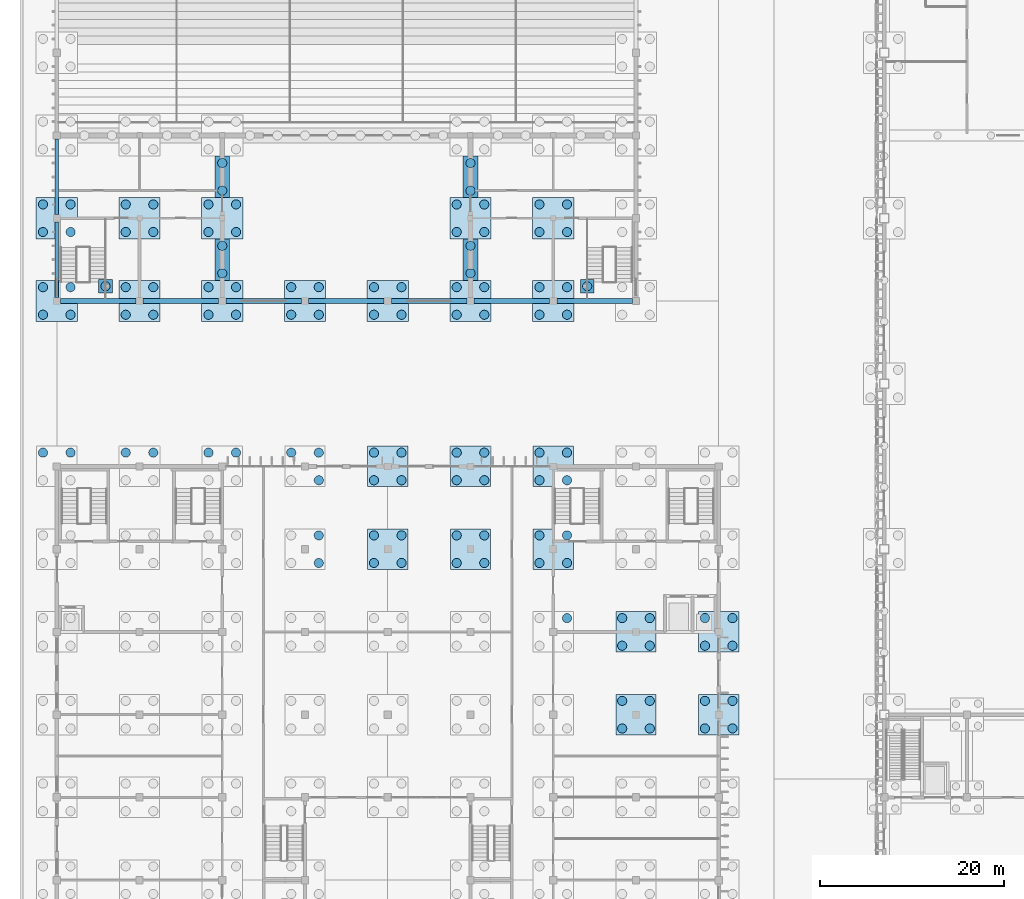
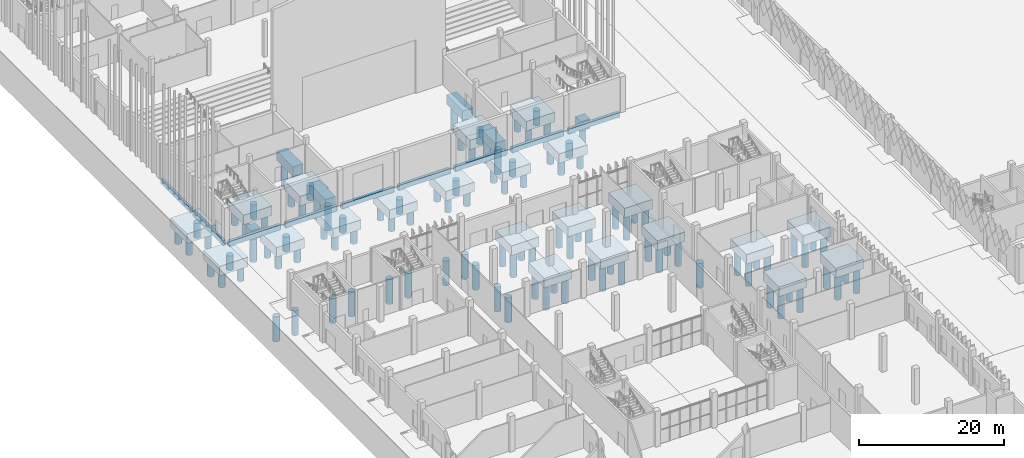
# One storey, part 4 of 198: 110 piles, 37 footings.
"""IFC4 building model written with IfcOpenShell, lengths in metres."""

import ifcopenshell
import ifcopenshell.guid

model = None  # the IFC model being written
_history = None  # IfcOwnerHistory: only IFC2X3 demands one
_inside = {}  # id of a spatial element -> (the spatial element, [elements in it])
_under = {}  # id of a project, library or spatial element -> (it, [spatial elements below it])
_declared = {}  # id of a project -> (the project, [libraries it declares])
_typed = {}  # id of a type object -> (the type object, [elements of that type])
_made_of = {}  # id of a material, layer set ... -> (it, [elements and type objects made of it])


def new_model(schema):
    """Start an empty IFC model of exactly this schema.

    Asked for "IFC4X3", IfcOpenShell would pick the latest addendum, in which some entities
    have other attributes; the version numbers below select the first issue.
    IFC2X3 requires an IfcOwnerHistory on every rooted entity: one is made here for all.
    """
    global model, _history
    if schema == "IFC4X3":
        model = ifcopenshell.file(schema_version=(4, 3, 0, 0))
    else:
        model = ifcopenshell.file(schema=schema)
    _inside.clear()
    _under.clear()
    _declared.clear()
    _typed.clear()
    _made_of.clear()
    _history = None
    if model.schema == "IFC2X3":
        org = make("IfcOrganization", Name="unknown")
        user = make(
            "IfcPersonAndOrganization",
            ThePerson=make("IfcPerson", FamilyName="unknown"),
            TheOrganization=org,
        )
        app = make(
            "IfcApplication",
            ApplicationDeveloper=org,
            Version="unknown",
            ApplicationFullName="unknown",
            ApplicationIdentifier="unknown",
        )
        _history = make(
            "IfcOwnerHistory",
            OwningUser=user,
            OwningApplication=app,
            ChangeAction="ADDED",
            CreationDate=0,
        )
    return model


def make(cls, **values):
    """One entity of the class cls with the attributes given. An attribute that is None is left unset."""
    return model.create_entity(
        cls, **{name: value for name, value in values.items() if value is not None}
    )


def rooted(cls, **values):
    """An entity with a GlobalId (a new one), such as an element, a storey or a relation."""
    return make(cls, GlobalId=ifcopenshell.guid.new(), OwnerHistory=_history, **values)


def si_unit(unit_type, name, prefix=None):
    """IfcSIUnit, for example si_unit("LENGTHUNIT", "METRE", prefix="MILLI")."""
    return make("IfcSIUnit", UnitType=unit_type, Prefix=prefix, Name=name)


def assignment(units):
    """IfcUnitAssignment: the units of a project."""
    return None if units is None else make("IfcUnitAssignment", Units=units)


def point(xyz):
    """IfcCartesianPoint."""
    return None if xyz is None else make("IfcCartesianPoint", Coordinates=xyz)


def direction(xyz):
    """IfcDirection."""
    return None if xyz is None else make("IfcDirection", DirectionRatios=xyz)


def frame(location, z_axis=None, x_axis=None):
    """IfcAxis2Placement3D, a coordinate frame: its origin and axes. An axis left out is left unset."""
    return make(
        "IfcAxis2Placement3D",
        Location=point(location),
        Axis=direction(z_axis),
        RefDirection=direction(x_axis),
    )


def frame_2d(location, x_axis=None):
    """IfcAxis2Placement2D, a coordinate frame in the plane: its origin and x axis."""
    return make(
        "IfcAxis2Placement2D", Location=point(location), RefDirection=direction(x_axis)
    )


def origin():
    """The frame at (0, 0, 0) with its axes left unset."""
    return frame((0.0, 0.0, 0.0))


def origin_2d():
    """The frame at (0, 0) in the plane with its x axis left unset."""
    return frame_2d((0.0, 0.0))


def place(relative_to, where):
    """IfcLocalPlacement: puts the frame where relative to a parent placement (None: the world)."""
    return make(
        "IfcLocalPlacement", PlacementRelTo=relative_to, RelativePlacement=where
    )


def context(
    kind, dimensions, precision=None, world=None, true_north=None, identifier=None
):
    """IfcGeometricRepresentationContext, for example the 3D "Model" context."""
    return make(
        "IfcGeometricRepresentationContext",
        ContextIdentifier=identifier,
        ContextType=kind,
        CoordinateSpaceDimension=dimensions,
        Precision=precision,
        WorldCoordinateSystem=world,
        TrueNorth=true_north,
    )


def subcontext(parent, identifier, kind, view, scale=None):
    """IfcGeometricRepresentationSubContext, for example "Body" below "Model"."""
    return make(
        "IfcGeometricRepresentationSubContext",
        ContextIdentifier=identifier,
        ContextType=kind,
        ParentContext=parent,
        TargetScale=scale,
        TargetView=view,
    )


def project(units=None, contexts=None):
    """IfcProject with its units and contexts."""
    return rooted(
        "IfcProject",
        Name="project",
        RepresentationContexts=contexts,
        UnitsInContext=assignment(units),
    )


def spatial(cls, under=None, at=None, **own):
    """A site, building, storey or space (cls), placed at a placement, below another one or the project."""
    s = rooted(cls, ObjectPlacement=at, **own)
    if under is not None:
        _under.setdefault(under.id(), (under, []))[1].append(s)
    return s


def polyline(points):
    """IfcPolyline through the points."""
    return make("IfcPolyline", Points=[point(p) for p in points])


def profile(cls, at=None, kind="AREA", **sizes):
    """A parametric profile (cls). Its sizes go by their IFC names, for example OverallWidth=200.0."""
    return make(cls, ProfileType=kind, Position=at, **sizes)


def circle(**sizes):
    """IfcCircleProfileDef."""
    return profile("IfcCircleProfileDef", **sizes)


def outline(outer, holes=None, kind="AREA"):
    """IfcArbitraryClosedProfileDef: a profile drawn as a closed curve; with holes, ...WithVoids."""
    if holes is None:
        return make("IfcArbitraryClosedProfileDef", ProfileType=kind, OuterCurve=outer)
    return make(
        "IfcArbitraryProfileDefWithVoids",
        ProfileType=kind,
        OuterCurve=outer,
        InnerCurves=holes,
    )


def extrude(swept, where, along, depth):
    """IfcExtrudedAreaSolid: the profile swept, set in the frame where, extruded along a direction by depth."""
    return make(
        "IfcExtrudedAreaSolid",
        SweptArea=swept,
        Position=where,
        ExtrudedDirection=direction(along),
        Depth=depth,
    )


def shape(context_of_items, identifier, shape_type, items):
    """IfcShapeRepresentation: the items that make up one representation, for example the "Body"."""
    return make(
        "IfcShapeRepresentation",
        ContextOfItems=context_of_items,
        RepresentationIdentifier=identifier,
        RepresentationType=shape_type,
        Items=items,
    )


def material(Name=None, Category=None):
    """IfcMaterial."""
    return make("IfcMaterial", Name=Name, Category=Category)


def layer(
    of_material, thickness, ventilated=None, Name=None, Category=None, Priority=None
):
    """IfcMaterialLayer: one layer of a wall or slab, of a material (None: an air gap)."""
    return make(
        "IfcMaterialLayer",
        Material=of_material,
        LayerThickness=thickness,
        IsVentilated=ventilated,
        Name=Name,
        Category=Category,
        Priority=Priority,
    )


def layer_set(layers, Name=None):
    """IfcMaterialLayerSet."""
    return make("IfcMaterialLayerSet", MaterialLayers=layers, LayerSetName=Name)


def material_profile(
    of_material, cross_section, Name=None, Category=None, Priority=None
):
    """IfcMaterialProfile: a cross section and its material."""
    return make(
        "IfcMaterialProfile",
        Name=Name,
        Material=of_material,
        Profile=cross_section,
        Priority=Priority,
        Category=Category,
    )


def profile_set(profiles, Name=None, composite=None):
    """IfcMaterialProfileSet."""
    return make(
        "IfcMaterialProfileSet",
        Name=Name,
        MaterialProfiles=profiles,
        CompositeProfile=composite,
    )


def made_of(thing, what):
    """Note that an element or type object is made of a material, layer set ...; save() writes the relation."""
    if what is not None:
        _made_of.setdefault(what.id(), (what, []))[1].append(thing)
    return thing


def type_object(cls, material=None, **own):
    """A type object (cls), such as IfcWallType, which elements share."""
    return made_of(rooted(cls, **own), material)


def element(
    cls,
    number,
    at=None,
    inside=None,
    cuts=None,
    type_object=None,
    material=None,
    context=None,
    identifier="Body",
    shape_type=None,
    held_by="IfcProductDefinitionShape",
    body=None,
    shapes=None,
    **own,
):
    """One element of the class cls, such as IfcWall. Its Tag is "e" and its number.

    at: its placement. inside: the storey or other place that contains it. cuts: it is an
    opening in that element (IfcRelVoidsElement). A single representation is given by context,
    identifier, shape_type and body (its items); several are given by shapes. held_by: the class
    of the entity that holds the representations. save() writes the other relations.
    """
    e = rooted(cls, Tag="e%d" % number, ObjectPlacement=at, **own)
    if body is not None:
        shapes = [shape(context, identifier, shape_type, body)]
    if shapes is not None:
        e.Representation = make(held_by, Representations=shapes)
    if inside is not None:
        _inside.setdefault(inside.id(), (inside, []))[1].append(e)
    if cuts is not None:
        rooted(
            "IfcRelVoidsElement", RelatingBuildingElement=cuts, RelatedOpeningElement=e
        )
    if type_object is not None:
        _typed.setdefault(type_object.id(), (type_object, []))[1].append(e)
    return made_of(e, material)


def aggregate(whole, parts):
    """IfcRelAggregates: a whole, such as a stair, and the parts it consists of."""
    return rooted("IfcRelAggregates", RelatingObject=whole, RelatedObjects=parts)


def save(model, path):
    """Write the relations noted so far, then the file.

    IfcRelAggregates (storeys below a building ...), IfcRelContainedInSpatialStructure (elements
    in a storey), IfcRelDefinesByType, IfcRelAssociatesMaterial and IfcRelDeclares: one each for
    every whole, place, type object, material and project.
    """
    for whole, parts in _under.values():
        aggregate(whole, parts)
    for where, things in _inside.values():
        rooted(
            "IfcRelContainedInSpatialStructure",
            RelatedElements=things,
            RelatingStructure=where,
        )
    for kind, things in _typed.values():
        rooted("IfcRelDefinesByType", RelatedObjects=things, RelatingType=kind)
    for what, things in _made_of.values():
        rooted("IfcRelAssociatesMaterial", RelatedObjects=things, RelatingMaterial=what)
    for by, libraries in _declared.values():
        rooted("IfcRelDeclares", RelatingContext=by, RelatedDefinitions=libraries)
    model.write(path)


model = new_model("IFC4")

# Units and contexts
model_context = context("Model", 3, precision=1e-05, world=origin(), true_north=direction((0.0, 1.0)))
body_context = subcontext(model_context, "Body", "Model", "MODEL_VIEW")
ifc_project = project(units=[si_unit("LENGTHUNIT", "METRE"), si_unit("AREAUNIT", "SQUARE_METRE"), si_unit("VOLUMEUNIT", "CUBIC_METRE"), si_unit("PLANEANGLEUNIT", "RADIAN"), si_unit("MASSUNIT", "GRAM", prefix="KILO")], contexts=[model_context])

# Site, building, storey
site_placement = place(None, origin())
site = spatial("IfcSite", under=ifc_project, at=site_placement, CompositionType="ELEMENT")
building_placement = place(site_placement, origin())
building = spatial("IfcBuilding", under=site, at=building_placement, Name="Opaline Strait Convention Centre", CompositionType="ELEMENT")
storey_placement = place(building_placement, origin())
storey = spatial("IfcBuildingStorey", under=building, at=storey_placement, Name="L00", CompositionType="ELEMENT", Elevation=0.0)

# Piles
ifc_material = material(Name="Concrete C35", Category="concrete")
ifc_material_profile_1 = material_profile(ifc_material, circle(Radius=0.5, at=origin_2d()), Name="D1000")
ifc_profile_set_1 = profile_set([ifc_material_profile_1], Name="Concrete C35")
pile_type_1 = type_object("IfcPileType", Name="Bored pile D1000 L2.5 C35", PredefinedType="BORED", material=ifc_profile_set_1)
for number, where, z_axis, x_axis, name in (
    (1, (7.5, 115.5, -3.5), (0.0, 0.0, -1.0), (1.0, 0.0, 0.0), "PPL1 pile 1 of PPC1 at 2/P"),
    (2, (7.5, 118.5, -3.5), (0.0, 0.0, -1.0), (1.0, 0.0, 0.0), "PPL1 pile 2 of PPC1 at 2/P"),
    (3, (10.5, 115.5, -3.5), (0.0, 0.0, -1.0), (1.0, 0.0, 0.0), "PPL1 pile 3 of PPC1 at 2/P"),
    (4, (10.5, 118.5, -3.5), (0.0, 0.0, -1.0), (1.0, 0.0, 0.0), "PPL1 pile 4 of PPC1 at 2/P"),
    (5, (16.5, 115.5, -3.5), (0.0, 0.0, -1.0), (1.0, 0.0, 0.0), "PPL1 pile 1 of PPC1 at 3/P"),
    (6, (16.5, 118.5, -3.5), (0.0, 0.0, -1.0), (1.0, 0.0, 0.0), "PPL1 pile 2 of PPC1 at 3/P"),
    (7, (19.5, 115.5, -3.5), (0.0, 0.0, -1.0), (1.0, 0.0, 0.0), "PPL1 pile 3 of PPC1 at 3/P"),
    (8, (19.5, 118.5, -3.5), (0.0, 0.0, -1.0), (1.0, 0.0, 0.0), "PPL1 pile 4 of PPC1 at 3/P"),
    (9, (25.5, 115.5, -3.5), (0.0, 0.0, -1.0), (1.0, 0.0, 0.0), "PPL1 pile 1 of PPC1 at 4/P"),
    (10, (25.5, 118.5, -3.5), (0.0, 0.0, -1.0), (1.0, 0.0, 0.0), "PPL1 pile 2 of PPC1 at 4/P"),
    (11, (28.5, 115.5, -3.5), (0.0, 0.0, -1.0), (1.0, 0.0, 0.0), "PPL1 pile 3 of PPC1 at 4/P"),
    (12, (28.5, 118.5, -3.5), (0.0, 0.0, -1.0), (1.0, 0.0, 0.0), "PPL1 pile 4 of PPC1 at 4/P"),
    (13, (34.5, 115.5, -3.5), (0.0, 0.0, -1.0), (1.0, 0.0, 0.0), "PPL1 pile 1 of PPC1 at 5/P"),
    (14, (34.5, 118.5, -3.5), (0.0, 0.0, -1.0), (1.0, 0.0, 0.0), "PPL1 pile 2 of PPC1 at 5/P"),
    (15, (37.5, 115.5, -3.5), (0.0, 0.0, -1.0), (1.0, 0.0, 0.0), "PPL1 pile 3 of PPC1 at 5/P"),
    (16, (37.5, 118.5, -3.5), (0.0, 0.0, -1.0), (1.0, 0.0, 0.0), "PPL1 pile 4 of PPC1 at 5/P"),
    (17, (43.5, 115.5, -3.5), (0.0, 0.0, -1.0), (1.0, 0.0, 0.0), "PPL1 pile 1 of PPC1 at 6/P"),
    (18, (43.5, 118.5, -3.5), (0.0, 0.0, -1.0), (1.0, 0.0, 0.0), "PPL1 pile 2 of PPC1 at 6/P"),
    (19, (46.5, 115.5, -3.5), (0.0, 0.0, -1.0), (1.0, 0.0, 0.0), "PPL1 pile 3 of PPC1 at 6/P"),
    (20, (46.5, 118.5, -3.5), (0.0, 0.0, -1.0), (1.0, 0.0, 0.0), "PPL1 pile 4 of PPC1 at 6/P"),
    (21, (52.5, 115.5, -3.5), (0.0, 0.0, -1.0), (1.0, 0.0, 0.0), "PPL1 pile 1 of PPC1 at 7/P"),
    (22, (52.5, 118.5, -3.5), (0.0, 0.0, -1.0), (1.0, 0.0, 0.0), "PPL1 pile 2 of PPC1 at 7/P"),
    (23, (55.5, 115.5, -3.5), (0.0, 0.0, -1.0), (1.0, 0.0, 0.0), "PPL1 pile 3 of PPC1 at 7/P"),
    (24, (55.5, 118.5, -3.5), (0.0, 0.0, -1.0), (1.0, 0.0, 0.0), "PPL1 pile 4 of PPC1 at 7/P"),
    (25, (61.5, 115.5, -3.5), (0.0, 0.0, -1.0), (1.0, 0.0, 0.0), "PPL1 pile 1 of PPC1 at 8/P"),
    (26, (61.5, 118.5, -3.5), (0.0, 0.0, -1.0), (1.0, 0.0, 0.0), "PPL1 pile 2 of PPC1 at 8/P"),
    (27, (64.5, 115.5, -3.5), (0.0, 0.0, -1.0), (1.0, 0.0, 0.0), "PPL1 pile 3 of PPC1 at 8/P"),
    (28, (64.5, 118.5, -3.5), (0.0, 0.0, -1.0), (1.0, 0.0, 0.0), "PPL1 pile 4 of PPC1 at 8/P"),
    (29, (7.5, 124.5, -3.5), (0.0, 0.0, -1.0), (1.0, 0.0, 0.0), "PPL1 pile 1 of PPC1 at 2/Q"),
    (30, (7.5, 127.5, -3.5), (0.0, 0.0, -1.0), (1.0, 0.0, 0.0), "PPL1 pile 2 of PPC1 at 2/Q"),
    (31, (10.5, 124.5, -3.5), (0.0, 0.0, -1.0), (1.0, 0.0, 0.0), "PPL1 pile 3 of PPC1 at 2/Q"),
    (32, (10.5, 127.5, -3.5), (0.0, 0.0, -1.0), (1.0, 0.0, 0.0), "PPL1 pile 4 of PPC1 at 2/Q"),
    (33, (16.5, 124.5, -3.5), (0.0, 0.0, -1.0), (1.0, 0.0, 0.0), "PPL1 pile 1 of PPC1 at 3/Q"),
    (34, (16.5, 127.5, -3.5), (0.0, 0.0, -1.0), (1.0, 0.0, 0.0), "PPL1 pile 2 of PPC1 at 3/Q"),
    (35, (19.5, 124.5, -3.5), (0.0, 0.0, -1.0), (1.0, 0.0, 0.0), "PPL1 pile 3 of PPC1 at 3/Q"),
    (36, (19.5, 127.5, -3.5), (0.0, 0.0, -1.0), (1.0, 0.0, 0.0), "PPL1 pile 4 of PPC1 at 3/Q"),
    (37, (25.5, 124.5, -3.5), (0.0, 0.0, -1.0), (1.0, 0.0, 0.0), "PPL1 pile 1 of PPC1 at 4/Q"),
    (38, (25.5, 127.5, -3.5), (0.0, 0.0, -1.0), (1.0, 0.0, 0.0), "PPL1 pile 2 of PPC1 at 4/Q"),
    (39, (28.5, 124.5, -3.5), (0.0, 0.0, -1.0), (1.0, 0.0, 0.0), "PPL1 pile 3 of PPC1 at 4/Q"),
    (40, (28.5, 127.5, -3.5), (0.0, 0.0, -1.0), (1.0, 0.0, 0.0), "PPL1 pile 4 of PPC1 at 4/Q"),
    (41, (52.5, 124.5, -3.5), (0.0, 0.0, -1.0), (1.0, 0.0, 0.0), "PPL1 pile 1 of PPC1 at 7/Q"),
    (42, (52.5, 127.5, -3.5), (0.0, 0.0, -1.0), (1.0, 0.0, 0.0), "PPL1 pile 2 of PPC1 at 7/Q"),
    (43, (55.5, 124.5, -3.5), (0.0, 0.0, -1.0), (1.0, 0.0, 0.0), "PPL1 pile 3 of PPC1 at 7/Q"),
    (44, (55.5, 127.5, -3.5), (0.0, 0.0, -1.0), (1.0, 0.0, 0.0), "PPL1 pile 4 of PPC1 at 7/Q"),
    (45, (61.5, 124.5, -3.5), (0.0, 0.0, -1.0), (1.0, 0.0, 0.0), "PPL1 pile 1 of PPC1 at 8/Q"),
    (46, (61.5, 127.5, -3.5), (0.0, 0.0, -1.0), (1.0, 0.0, 0.0), "PPL1 pile 2 of PPC1 at 8/Q"),
    (47, (64.5, 124.5, -3.5), (0.0, 0.0, -1.0), (1.0, 0.0, 0.0), "PPL1 pile 3 of PPC1 at 8/Q"),
    (48, (64.5, 127.5, -3.5), (0.0, 0.0, -1.0), (1.0, 0.0, 0.0), "PPL1 pile 4 of PPC1 at 8/Q"),
):
    element("IfcPile", number, at=place(storey_placement, frame(where, z_axis=z_axis, x_axis=x_axis)), inside=storey, type_object=pile_type_1, Name=name, PredefinedType="BORED", context=body_context, shape_type="SweptSolid", body=[
        extrude(circle(Radius=0.5, at=origin_2d()), origin(), (0.0, 0.0, 1.0), 2.5),
    ])
ifc_material_profile_2 = material_profile(ifc_material, circle(Radius=0.5, at=origin_2d()), Name="D1000")
ifc_profile_set_2 = profile_set([ifc_material_profile_2], Name="Concrete C35")
pile_type_2 = type_object("IfcPileType", Name="Bored pile D1000 L4.2 C35", PredefinedType="BORED", material=ifc_profile_set_2)
for number, where, z_axis, x_axis, name in (
    (49, (27.0, 120.0, -1.800048828125), (0.0, 0.0, -1.0), (1.0, 0.0, 0.0), "PPL2 pile 1 of PPB1 y27 119.25"),
    (50, (27.0, 123.0, -1.800048828125), (0.0, 0.0, -1.0), (1.0, 0.0, 0.0), "PPL2 pile 2 of PPB1 y27 119.25"),
    (51, (27.0, 129.0, -1.800048828125), (0.0, 0.0, -1.0), (1.0, 0.0, 0.0), "PPL2 pile 1 of PPB1 y27 128.25"),
    (52, (27.0, 132.0, -1.800048828125), (0.0, 0.0, -1.0), (1.0, 0.0, 0.0), "PPL2 pile 2 of PPB1 y27 128.25"),
    (53, (54.0, 120.0, -1.800048828125), (0.0, 0.0, -1.0), (1.0, 0.0, 0.0), "PPL2 pile 1 of PPB1 y54 119.25"),
    (54, (54.0, 123.0, -1.800048828125), (0.0, 0.0, -1.0), (1.0, 0.0, 0.0), "PPL2 pile 2 of PPB1 y54 119.25"),
    (55, (54.0, 129.0, -1.800048828125), (0.0, 0.0, -1.0), (1.0, 0.0, 0.0), "PPL2 pile 1 of PPB1 y54 128.25"),
    (56, (54.0, 132.0, -1.800048828125), (0.0, 0.0, -1.0), (1.0, 0.0, 0.0), "PPL2 pile 2 of PPB1 y54 128.25"),
    (57, (14.300048828125, 118.60009765625, -1.800048828125), (0.0, 0.0, -1.0), (1.0, 0.0, 0.0), "PPL2 pile of PPF1 SW"),
    (58, (66.699951171875, 118.60009765625, -1.800048828125), (0.0, 0.0, -1.0), (1.0, 0.0, 0.0), "PPL2 pile of PPF1 SE"),
    (59, (7.5, 100.5, -1.800048828125), (0.0, 0.0, -1.0), (1.0, 0.0, 0.0), "RPL1 pile 2 of cap at 9/99"),
    (60, (10.5, 100.5, -1.800048828125), (0.0, 0.0, -1.0), (1.0, 0.0, 0.0), "RPL1 pile 4 of cap at 9/99"),
    (61, (16.5, 100.5, -1.800048828125), (0.0, 0.0, -1.0), (1.0, 0.0, 0.0), "RPL1 pile 2 of cap at 18/99"),
    (62, (19.5, 100.5, -1.800048828125), (0.0, 0.0, -1.0), (1.0, 0.0, 0.0), "RPL1 pile 4 of cap at 18/99"),
    (63, (25.5, 100.5, -1.800048828125), (0.0, 0.0, -1.0), (1.0, 0.0, 0.0), "RPL1 pile 2 of cap at 27/99"),
    (64, (28.5, 100.5, -1.800048828125), (0.0, 0.0, -1.0), (1.0, 0.0, 0.0), "RPL1 pile 4 of cap at 27/99"),
    (65, (37.5, 88.5, -1.800048828125), (0.0, 0.0, -1.0), (1.0, 0.0, 0.0), "RPL1 pile 3 of cap at 36/90"),
    (66, (37.5, 91.5, -1.800048828125), (0.0, 0.0, -1.0), (1.0, 0.0, 0.0), "RPL1 pile 4 of cap at 36/90"),
    (67, (34.5, 100.5, -1.800048828125), (0.0, 0.0, -1.0), (1.0, 0.0, 0.0), "RPL1 pile 2 of cap at 36/99"),
    (68, (37.5, 97.5, -1.800048828125), (0.0, 0.0, -1.0), (1.0, 0.0, 0.0), "RPL1 pile 3 of cap at 36/99"),
    (69, (37.5, 100.5, -1.800048828125), (0.0, 0.0, -1.0), (1.0, 0.0, 0.0), "RPL1 pile 4 of cap at 36/99"),
    (70, (43.5, 88.5, -1.800048828125), (0.0, 0.0, -1.0), (1.0, 0.0, 0.0), "RPL1 pile 1 of cap at 45/90"),
    (71, (43.5, 91.5, -1.800048828125), (0.0, 0.0, -1.0), (1.0, 0.0, 0.0), "RPL1 pile 2 of cap at 45/90"),
    (72, (46.5, 88.5, -1.800048828125), (0.0, 0.0, -1.0), (1.0, 0.0, 0.0), "RPL1 pile 3 of cap at 45/90"),
    (73, (46.5, 91.5, -1.800048828125), (0.0, 0.0, -1.0), (1.0, 0.0, 0.0), "RPL1 pile 4 of cap at 45/90"),
    (74, (43.5, 97.5, -1.800048828125), (0.0, 0.0, -1.0), (1.0, 0.0, 0.0), "RPL1 pile 1 of cap at 45/99"),
    (75, (43.5, 100.5, -1.800048828125), (0.0, 0.0, -1.0), (1.0, 0.0, 0.0), "RPL1 pile 2 of cap at 45/99"),
    (76, (46.5, 97.5, -1.800048828125), (0.0, 0.0, -1.0), (1.0, 0.0, 0.0), "RPL1 pile 3 of cap at 45/99"),
    (77, (46.5, 100.5, -1.800048828125), (0.0, 0.0, -1.0), (1.0, 0.0, 0.0), "RPL1 pile 4 of cap at 45/99"),
    (78, (52.5, 88.5, -1.800048828125), (0.0, 0.0, -1.0), (1.0, 0.0, 0.0), "RPL1 pile 1 of cap at 54/90"),
    (79, (52.5, 91.5, -1.800048828125), (0.0, 0.0, -1.0), (1.0, 0.0, 0.0), "RPL1 pile 2 of cap at 54/90"),
    (80, (55.5, 88.5, -1.800048828125), (0.0, 0.0, -1.0), (1.0, 0.0, 0.0), "RPL1 pile 3 of cap at 54/90"),
    (81, (55.5, 91.5, -1.800048828125), (0.0, 0.0, -1.0), (1.0, 0.0, 0.0), "RPL1 pile 4 of cap at 54/90"),
    (82, (52.5, 97.5, -1.800048828125), (0.0, 0.0, -1.0), (1.0, 0.0, 0.0), "RPL1 pile 1 of cap at 54/99"),
    (83, (52.5, 100.5, -1.800048828125), (0.0, 0.0, -1.0), (1.0, 0.0, 0.0), "RPL1 pile 2 of cap at 54/99"),
    (84, (55.5, 97.5, -1.800048828125), (0.0, 0.0, -1.0), (1.0, 0.0, 0.0), "RPL1 pile 3 of cap at 54/99"),
    (85, (55.5, 100.5, -1.800048828125), (0.0, 0.0, -1.0), (1.0, 0.0, 0.0), "RPL1 pile 4 of cap at 54/99"),
    (86, (64.5, 82.5, -1.800048828125), (0.0, 0.0, -1.0), (1.0, 0.0, 0.0), "RPL1 pile 4 of cap at 63/81"),
    (87, (61.5, 88.5, -1.800048828125), (0.0, 0.0, -1.0), (1.0, 0.0, 0.0), "RPL1 pile 1 of cap at 63/90"),
    (88, (61.5, 91.5, -1.800048828125), (0.0, 0.0, -1.0), (1.0, 0.0, 0.0), "RPL1 pile 2 of cap at 63/90"),
    (89, (64.5, 88.5, -1.800048828125), (0.0, 0.0, -1.0), (1.0, 0.0, 0.0), "RPL1 pile 3 of cap at 63/90"),
    (90, (64.5, 91.5, -1.800048828125), (0.0, 0.0, -1.0), (1.0, 0.0, 0.0), "RPL1 pile 4 of cap at 63/90"),
    (91, (61.5, 97.5, -1.800048828125), (0.0, 0.0, -1.0), (1.0, 0.0, 0.0), "RPL1 pile 1 of cap at 63/99"),
    (92, (61.5, 100.5, -1.800048828125), (0.0, 0.0, -1.0), (1.0, 0.0, 0.0), "RPL1 pile 2 of cap at 63/99"),
    (93, (64.5, 97.5, -1.800048828125), (0.0, 0.0, -1.0), (1.0, 0.0, 0.0), "RPL1 pile 3 of cap at 63/99"),
    (94, (64.5, 100.5, -1.800048828125), (0.0, 0.0, -1.0), (1.0, 0.0, 0.0), "RPL1 pile 4 of cap at 63/99"),
    (95, (70.5, 70.5, -1.800048828125), (0.0, 0.0, -1.0), (1.0, 0.0, 0.0), "RPL1 pile 1 of cap at 72/72"),
    (96, (70.5, 73.5, -1.800048828125), (0.0, 0.0, -1.0), (1.0, 0.0, 0.0), "RPL1 pile 2 of cap at 72/72"),
    (97, (73.5, 70.5, -1.800048828125), (0.0, 0.0, -1.0), (1.0, 0.0, 0.0), "RPL1 pile 3 of cap at 72/72"),
    (98, (73.5, 73.5, -1.800048828125), (0.0, 0.0, -1.0), (1.0, 0.0, 0.0), "RPL1 pile 4 of cap at 72/72"),
    (99, (70.5, 79.5, -1.800048828125), (0.0, 0.0, -1.0), (1.0, 0.0, 0.0), "RPL1 pile 1 of cap at 72/81"),
    (100, (70.5, 82.5, -1.800048828125), (0.0, 0.0, -1.0), (1.0, 0.0, 0.0), "RPL1 pile 2 of cap at 72/81"),
    (101, (73.5, 79.5, -1.800048828125), (0.0, 0.0, -1.0), (1.0, 0.0, 0.0), "RPL1 pile 3 of cap at 72/81"),
    (102, (73.5, 82.5, -1.800048828125), (0.0, 0.0, -1.0), (1.0, 0.0, 0.0), "RPL1 pile 4 of cap at 72/81"),
    (103, (79.5, 70.5, -1.800048828125), (0.0, 0.0, -1.0), (1.0, 0.0, 0.0), "RPL1 pile 1 of cap at 81/72"),
    (104, (79.5, 73.5, -1.800048828125), (0.0, 0.0, -1.0), (1.0, 0.0, 0.0), "RPL1 pile 2 of cap at 81/72"),
    (105, (82.5, 70.5, -1.800048828125), (0.0, 0.0, -1.0), (1.0, 0.0, 0.0), "RPL1 pile 3 of cap at 81/72"),
    (106, (82.5, 73.5, -1.800048828125), (0.0, 0.0, -1.0), (1.0, 0.0, 0.0), "RPL1 pile 4 of cap at 81/72"),
    (107, (79.5, 79.5, -1.800048828125), (0.0, 0.0, -1.0), (1.0, 0.0, 0.0), "RPL1 pile 1 of cap at 81/81"),
    (108, (79.5, 82.5, -1.800048828125), (0.0, 0.0, -1.0), (1.0, 0.0, 0.0), "RPL1 pile 2 of cap at 81/81"),
    (109, (82.5, 79.5, -1.800048828125), (0.0, 0.0, -1.0), (1.0, 0.0, 0.0), "RPL1 pile 3 of cap at 81/81"),
    (110, (82.5, 82.5, -1.800048828125), (0.0, 0.0, -1.0), (1.0, 0.0, 0.0), "RPL1 pile 4 of cap at 81/81"),
):
    element("IfcPile", number, at=place(storey_placement, frame(where, z_axis=z_axis, x_axis=x_axis)), inside=storey, type_object=pile_type_2, Name=name, PredefinedType="BORED", context=body_context, shape_type="SweptSolid", body=[
        extrude(circle(Radius=0.5, at=origin_2d()), origin(), (0.0, 0.0, 1.0), 4.199951171875),
    ])

# Footings
ifc_layer_1 = layer(ifc_material, 1.60009765625)
ifc_layer_set_1 = layer_set([ifc_layer_1], Name="Concrete C35")
footing_type_1 = type_object("IfcFootingType", Name="Pile cap 1500 x 1500 x 1600 C35", PredefinedType="PILE_CAP", material=ifc_layer_set_1)
footing_1_placement = place(storey_placement, frame((0.0, 0.0, -1.89990234375)))
element("IfcFooting", 111, at=footing_1_placement, inside=storey, type_object=footing_type_1, Name="PPF1 pile cap of the SW stair landing column", PredefinedType="PILE_CAP", context=body_context, shape_type="SweptSolid", body=[
    extrude(outline(polyline([(13.550048828125, 117.85009765625), (15.050048828125, 117.85009765625), (15.050048828125, 119.35009765625), (13.550048828125, 119.35009765625), (13.550048828125, 117.85009765625)])), origin(), (0.0, 0.0, 1.0), 1.599853515625),
])
footing_2_placement = place(storey_placement, frame((0.0, 0.0, -1.89990234375)))
element("IfcFooting", 112, at=footing_2_placement, inside=storey, type_object=footing_type_1, Name="PPF1 pile cap of the SE stair landing column", PredefinedType="PILE_CAP", context=body_context, shape_type="SweptSolid", body=[
    extrude(outline(polyline([(65.949951171875, 117.85009765625), (67.449951171875, 117.85009765625), (67.449951171875, 119.35009765625), (65.949951171875, 119.35009765625), (65.949951171875, 117.85009765625)])), origin(), (0.0, 0.0, 1.0), 1.599853515625),
])
ifc_layer_2 = layer(ifc_material, 1.60009765625)
ifc_layer_set_2 = layer_set([ifc_layer_2], Name="Concrete C35")
footing_type_2 = type_object("IfcFootingType", Name="Pile cap 4400 x 4400 x 1600 C35", PredefinedType="PILE_CAP", material=ifc_layer_set_2)
footing_3_placement = place(storey_placement, frame((0.0, 0.0, -1.89990234375)))
element("IfcFooting", 113, at=footing_3_placement, inside=storey, type_object=footing_type_2, Name="RPC1 pile cap at 45/90", PredefinedType="PILE_CAP", context=body_context, shape_type="SweptSolid", body=[
    extrude(outline(polyline([(42.800048828125, 87.800048828125), (47.199951171875, 87.800048828125), (47.199951171875, 92.199951171875), (42.800048828125, 92.199951171875), (42.800048828125, 87.800048828125)])), origin(), (0.0, 0.0, 1.0), 1.599853515625),
])
footing_4_placement = place(storey_placement, frame((0.0, 0.0, -1.89990234375)))
element("IfcFooting", 114, at=footing_4_placement, inside=storey, type_object=footing_type_2, Name="RPC1 pile cap at 45/99", PredefinedType="PILE_CAP", context=body_context, shape_type="SweptSolid", body=[
    extrude(outline(polyline([(42.800048828125, 96.800048828125), (47.199951171875, 96.800048828125), (47.199951171875, 101.199951171875), (42.800048828125, 101.199951171875), (42.800048828125, 96.800048828125)])), origin(), (0.0, 0.0, 1.0), 1.599853515625),
])
footing_5_placement = place(storey_placement, frame((0.0, 0.0, -1.89990234375)))
element("IfcFooting", 115, at=footing_5_placement, inside=storey, type_object=footing_type_2, Name="RPC1 pile cap at 54/90", PredefinedType="PILE_CAP", context=body_context, shape_type="SweptSolid", body=[
    extrude(outline(polyline([(51.800048828125, 87.800048828125), (56.199951171875, 87.800048828125), (56.199951171875, 92.199951171875), (51.800048828125, 92.199951171875), (51.800048828125, 87.800048828125)])), origin(), (0.0, 0.0, 1.0), 1.599853515625),
])
footing_6_placement = place(storey_placement, frame((0.0, 0.0, -1.89990234375)))
element("IfcFooting", 116, at=footing_6_placement, inside=storey, type_object=footing_type_2, Name="RPC1 pile cap at 54/99", PredefinedType="PILE_CAP", context=body_context, shape_type="SweptSolid", body=[
    extrude(outline(polyline([(51.800048828125, 96.800048828125), (56.199951171875, 96.800048828125), (56.199951171875, 101.199951171875), (51.800048828125, 101.199951171875), (51.800048828125, 96.800048828125)])), origin(), (0.0, 0.0, 1.0), 1.599853515625),
])
footing_7_placement = place(storey_placement, frame((0.0, 0.0, -1.89990234375)))
element("IfcFooting", 117, at=footing_7_placement, inside=storey, type_object=footing_type_2, Name="RPC1 pile cap at 63/90", PredefinedType="PILE_CAP", context=body_context, shape_type="SweptSolid", body=[
    extrude(outline(polyline([(60.800048828125, 87.800048828125), (65.199951171875, 87.800048828125), (65.199951171875, 92.199951171875), (60.800048828125, 92.199951171875), (60.800048828125, 87.800048828125)])), origin(), (0.0, 0.0, 1.0), 1.599853515625),
])
footing_8_placement = place(storey_placement, frame((0.0, 0.0, -1.89990234375)))
element("IfcFooting", 118, at=footing_8_placement, inside=storey, type_object=footing_type_2, Name="RPC1 pile cap at 63/99", PredefinedType="PILE_CAP", context=body_context, shape_type="SweptSolid", body=[
    extrude(outline(polyline([(60.800048828125, 96.800048828125), (65.199951171875, 96.800048828125), (65.199951171875, 101.199951171875), (60.800048828125, 101.199951171875), (60.800048828125, 96.800048828125)])), origin(), (0.0, 0.0, 1.0), 1.599853515625),
])
footing_9_placement = place(storey_placement, frame((0.0, 0.0, -1.89990234375)))
element("IfcFooting", 119, at=footing_9_placement, inside=storey, type_object=footing_type_2, Name="RPC1 pile cap at 72/72", PredefinedType="PILE_CAP", context=body_context, shape_type="SweptSolid", body=[
    extrude(outline(polyline([(69.800048828125, 69.800048828125), (74.199951171875, 69.800048828125), (74.199951171875, 74.199951171875), (69.800048828125, 74.199951171875), (69.800048828125, 69.800048828125)])), origin(), (0.0, 0.0, 1.0), 1.599853515625),
])
footing_10_placement = place(storey_placement, frame((0.0, 0.0, -1.89990234375)))
element("IfcFooting", 120, at=footing_10_placement, inside=storey, type_object=footing_type_2, Name="RPC1 pile cap at 72/81", PredefinedType="PILE_CAP", context=body_context, shape_type="SweptSolid", body=[
    extrude(outline(polyline([(69.800048828125, 78.800048828125), (74.199951171875, 78.800048828125), (74.199951171875, 83.199951171875), (69.800048828125, 83.199951171875), (69.800048828125, 78.800048828125)])), origin(), (0.0, 0.0, 1.0), 1.599853515625),
])
footing_11_placement = place(storey_placement, frame((0.0, 0.0, -1.89990234375)))
element("IfcFooting", 121, at=footing_11_placement, inside=storey, type_object=footing_type_2, Name="RPC1 pile cap at 81/72", PredefinedType="PILE_CAP", context=body_context, shape_type="SweptSolid", body=[
    extrude(outline(polyline([(78.800048828125, 69.800048828125), (83.199951171875, 69.800048828125), (83.199951171875, 74.199951171875), (78.800048828125, 74.199951171875), (78.800048828125, 69.800048828125)])), origin(), (0.0, 0.0, 1.0), 1.599853515625),
])
footing_12_placement = place(storey_placement, frame((0.0, 0.0, -1.89990234375)))
element("IfcFooting", 122, at=footing_12_placement, inside=storey, type_object=footing_type_2, Name="RPC1 pile cap at 81/81", PredefinedType="PILE_CAP", context=body_context, shape_type="SweptSolid", body=[
    extrude(outline(polyline([(78.800048828125, 78.800048828125), (83.199951171875, 78.800048828125), (83.199951171875, 83.199951171875), (78.800048828125, 83.199951171875), (78.800048828125, 78.800048828125)])), origin(), (0.0, 0.0, 1.0), 1.599853515625),
])
ifc_layer_3 = layer(ifc_material, 1.60009765625)
ifc_layer_set_3 = layer_set([ifc_layer_3], Name="Concrete C35")
footing_type_3 = type_object("IfcFootingType", Name="Pile cap 4500 x 4500 x 1600 C35", PredefinedType="PILE_CAP", material=ifc_layer_set_3)
footing_13_placement = place(storey_placement, frame((0.0, 0.0, -3.60009765625)))
element("IfcFooting", 123, at=footing_13_placement, inside=storey, type_object=footing_type_3, Name="PPC1 pile cap at 2/P", PredefinedType="PILE_CAP", context=body_context, shape_type="SweptSolid", body=[
    extrude(outline(polyline([(6.75, 114.75), (11.25, 114.75), (11.25, 119.25), (6.75, 119.25), (6.75, 114.75)])), origin(), (0.0, 0.0, 1.0), 1.60009765625),
])
footing_14_placement = place(storey_placement, frame((0.0, 0.0, -3.60009765625)))
element("IfcFooting", 124, at=footing_14_placement, inside=storey, type_object=footing_type_3, Name="PPC1 pile cap at 3/P", PredefinedType="PILE_CAP", context=body_context, shape_type="SweptSolid", body=[
    extrude(outline(polyline([(15.75, 114.75), (20.25, 114.75), (20.25, 119.25), (15.75, 119.25), (15.75, 114.75)])), origin(), (0.0, 0.0, 1.0), 1.60009765625),
])
footing_15_placement = place(storey_placement, frame((0.0, 0.0, -3.60009765625)))
element("IfcFooting", 125, at=footing_15_placement, inside=storey, type_object=footing_type_3, Name="PPC1 pile cap at 4/P", PredefinedType="PILE_CAP", context=body_context, shape_type="SweptSolid", body=[
    extrude(outline(polyline([(24.75, 114.75), (29.25, 114.75), (29.25, 119.25), (24.75, 119.25), (24.75, 114.75)])), origin(), (0.0, 0.0, 1.0), 1.60009765625),
])
footing_16_placement = place(storey_placement, frame((0.0, 0.0, -3.60009765625)))
element("IfcFooting", 126, at=footing_16_placement, inside=storey, type_object=footing_type_3, Name="PPC1 pile cap at 5/P", PredefinedType="PILE_CAP", context=body_context, shape_type="SweptSolid", body=[
    extrude(outline(polyline([(33.75, 114.75), (38.25, 114.75), (38.25, 119.25), (33.75, 119.25), (33.75, 114.75)])), origin(), (0.0, 0.0, 1.0), 1.60009765625),
])
footing_17_placement = place(storey_placement, frame((0.0, 0.0, -3.60009765625)))
element("IfcFooting", 127, at=footing_17_placement, inside=storey, type_object=footing_type_3, Name="PPC1 pile cap at 6/P", PredefinedType="PILE_CAP", context=body_context, shape_type="SweptSolid", body=[
    extrude(outline(polyline([(42.75, 114.75), (47.25, 114.75), (47.25, 119.25), (42.75, 119.25), (42.75, 114.75)])), origin(), (0.0, 0.0, 1.0), 1.60009765625),
])
footing_18_placement = place(storey_placement, frame((0.0, 0.0, -3.60009765625)))
element("IfcFooting", 128, at=footing_18_placement, inside=storey, type_object=footing_type_3, Name="PPC1 pile cap at 7/P", PredefinedType="PILE_CAP", context=body_context, shape_type="SweptSolid", body=[
    extrude(outline(polyline([(51.75, 114.75), (56.25, 114.75), (56.25, 119.25), (51.75, 119.25), (51.75, 114.75)])), origin(), (0.0, 0.0, 1.0), 1.60009765625),
])
footing_19_placement = place(storey_placement, frame((0.0, 0.0, -3.60009765625)))
element("IfcFooting", 129, at=footing_19_placement, inside=storey, type_object=footing_type_3, Name="PPC1 pile cap at 8/P", PredefinedType="PILE_CAP", context=body_context, shape_type="SweptSolid", body=[
    extrude(outline(polyline([(60.75, 114.75), (65.25, 114.75), (65.25, 119.25), (60.75, 119.25), (60.75, 114.75)])), origin(), (0.0, 0.0, 1.0), 1.60009765625),
])
footing_20_placement = place(storey_placement, frame((0.0, 0.0, -3.60009765625)))
element("IfcFooting", 130, at=footing_20_placement, inside=storey, type_object=footing_type_3, Name="PPC1 pile cap at 2/Q", PredefinedType="PILE_CAP", context=body_context, shape_type="SweptSolid", body=[
    extrude(outline(polyline([(6.75, 123.75), (11.25, 123.75), (11.25, 128.25), (6.75, 128.25), (6.75, 123.75)])), origin(), (0.0, 0.0, 1.0), 1.60009765625),
])
footing_21_placement = place(storey_placement, frame((0.0, 0.0, -3.60009765625)))
element("IfcFooting", 131, at=footing_21_placement, inside=storey, type_object=footing_type_3, Name="PPC1 pile cap at 3/Q", PredefinedType="PILE_CAP", context=body_context, shape_type="SweptSolid", body=[
    extrude(outline(polyline([(15.75, 123.75), (20.25, 123.75), (20.25, 128.25), (15.75, 128.25), (15.75, 123.75)])), origin(), (0.0, 0.0, 1.0), 1.60009765625),
])
footing_22_placement = place(storey_placement, frame((0.0, 0.0, -3.60009765625)))
element("IfcFooting", 132, at=footing_22_placement, inside=storey, type_object=footing_type_3, Name="PPC1 pile cap at 4/Q", PredefinedType="PILE_CAP", context=body_context, shape_type="SweptSolid", body=[
    extrude(outline(polyline([(24.75, 123.75), (29.25, 123.75), (29.25, 128.25), (24.75, 128.25), (24.75, 123.75)])), origin(), (0.0, 0.0, 1.0), 1.60009765625),
])
footing_23_placement = place(storey_placement, frame((0.0, 0.0, -3.60009765625)))
element("IfcFooting", 133, at=footing_23_placement, inside=storey, type_object=footing_type_3, Name="PPC1 pile cap at 7/Q", PredefinedType="PILE_CAP", context=body_context, shape_type="SweptSolid", body=[
    extrude(outline(polyline([(51.75, 123.75), (56.25, 123.75), (56.25, 128.25), (51.75, 128.25), (51.75, 123.75)])), origin(), (0.0, 0.0, 1.0), 1.60009765625),
])
footing_24_placement = place(storey_placement, frame((0.0, 0.0, -3.60009765625)))
element("IfcFooting", 134, at=footing_24_placement, inside=storey, type_object=footing_type_3, Name="PPC1 pile cap at 8/Q", PredefinedType="PILE_CAP", context=body_context, shape_type="SweptSolid", body=[
    extrude(outline(polyline([(60.75, 123.75), (65.25, 123.75), (65.25, 128.25), (60.75, 128.25), (60.75, 123.75)])), origin(), (0.0, 0.0, 1.0), 1.60009765625),
])
ifc_layer_4 = layer(ifc_material, 1.60009765625)
ifc_layer_set_4 = layer_set([ifc_layer_4], Name="Concrete C35")
footing_type_4 = type_object("IfcFootingType", Name="Pile cap beam 4500 x 1600 x 1600 C35", PredefinedType="PILE_CAP", material=ifc_layer_set_4)
footing_25_placement = place(storey_placement, frame((0.0, 0.0, -1.89990234375)))
element("IfcFooting", 135, at=footing_25_placement, inside=storey, type_object=footing_type_4, Name="PPB1 pile cap beam y27 119.25-123.75", PredefinedType="PILE_CAP", context=body_context, shape_type="SweptSolid", body=[
    extrude(outline(polyline([(26.199951171875, 119.25), (27.800048828125, 119.25), (27.800048828125, 123.75), (26.199951171875, 123.75), (26.199951171875, 119.25)])), origin(), (0.0, 0.0, 1.0), 1.599853515625),
])
footing_26_placement = place(storey_placement, frame((0.0, 0.0, -1.89990234375)))
element("IfcFooting", 136, at=footing_26_placement, inside=storey, type_object=footing_type_4, Name="PPB1 pile cap beam y27 128.25-132.75", PredefinedType="PILE_CAP", context=body_context, shape_type="SweptSolid", body=[
    extrude(outline(polyline([(26.199951171875, 128.25), (27.800048828125, 128.25), (27.800048828125, 132.75), (26.199951171875, 132.75), (26.199951171875, 128.25)])), origin(), (0.0, 0.0, 1.0), 1.599853515625),
])
footing_27_placement = place(storey_placement, frame((0.0, 0.0, -1.89990234375)))
element("IfcFooting", 137, at=footing_27_placement, inside=storey, type_object=footing_type_4, Name="PPB1 pile cap beam y54 119.25-123.75", PredefinedType="PILE_CAP", context=body_context, shape_type="SweptSolid", body=[
    extrude(outline(polyline([(53.199951171875, 119.25), (54.800048828125, 119.25), (54.800048828125, 123.75), (53.199951171875, 123.75), (53.199951171875, 119.25)])), origin(), (0.0, 0.0, 1.0), 1.599853515625),
])
footing_28_placement = place(storey_placement, frame((0.0, 0.0, -1.89990234375)))
element("IfcFooting", 138, at=footing_28_placement, inside=storey, type_object=footing_type_4, Name="PPB1 pile cap beam y54 128.25-132.75", PredefinedType="PILE_CAP", context=body_context, shape_type="SweptSolid", body=[
    extrude(outline(polyline([(53.199951171875, 128.25), (54.800048828125, 128.25), (54.800048828125, 132.75), (53.199951171875, 132.75), (53.199951171875, 128.25)])), origin(), (0.0, 0.0, 1.0), 1.599853515625),
])
ifc_layer_5 = layer(ifc_material, 0.800048828125)
ifc_layer_set_5 = layer_set([ifc_layer_5], Name="Concrete C35")
footing_type_5 = type_object("IfcFootingType", Name="RC wall strip footing 400 x 800 C35", PredefinedType="STRIP_FOOTING", material=ifc_layer_set_5)
footing_29_placement = place(storey_placement, frame((0.0, 0.0, -0.800048828125)))
element("IfcFooting", 139, at=footing_29_placement, inside=storey, type_object=footing_type_5, Name="PWF1 wall strip footing 9-117-126", PredefinedType="STRIP_FOOTING", context=body_context, shape_type="SweptSolid", body=[
    extrude(outline(polyline([(8.800048828125, 117.39990234375), (9.199951171875, 117.39990234375), (9.199951171875, 125.60009765625), (8.800048828125, 125.60009765625), (8.800048828125, 117.39990234375)])), origin(), (0.0, 0.0, 1.0), 0.800048828125),
])
footing_30_placement = place(storey_placement, frame((0.0, 0.0, -0.800048828125)))
element("IfcFooting", 140, at=footing_30_placement, inside=storey, type_object=footing_type_5, Name="PWF1 wall strip footing 9-126-135", PredefinedType="STRIP_FOOTING", context=body_context, shape_type="SweptSolid", body=[
    extrude(outline(polyline([(8.800048828125, 126.39990234375), (9.199951171875, 126.39990234375), (9.199951171875, 134.60009765625), (8.800048828125, 134.60009765625), (8.800048828125, 126.39990234375)])), origin(), (0.0, 0.0, 1.0), 0.800048828125),
])
ifc_layer_6 = layer(ifc_material, 0.800048828125)
ifc_layer_set_6 = layer_set([ifc_layer_6], Name="Concrete C35")
footing_type_6 = type_object("IfcFootingType", Name="RC wall strip footing 500 x 800 C35", PredefinedType="STRIP_FOOTING", material=ifc_layer_set_6)
footing_31_placement = place(storey_placement, frame((0.0, 0.0, -0.800048828125)))
element("IfcFooting", 141, at=footing_31_placement, inside=storey, type_object=footing_type_6, Name="PWF2 wall strip footing 117-9-18", PredefinedType="STRIP_FOOTING", context=body_context, shape_type="SweptSolid", body=[
    extrude(outline(polyline([(9.39990234375, 116.75), (17.60009765625, 116.75), (17.60009765625, 117.25), (9.39990234375, 117.25), (9.39990234375, 116.75)])), origin(), (0.0, 0.0, 1.0), 0.800048828125),
])
footing_32_placement = place(storey_placement, frame((0.0, 0.0, -0.800048828125)))
element("IfcFooting", 142, at=footing_32_placement, inside=storey, type_object=footing_type_6, Name="PWF2 wall strip footing 117-18-27", PredefinedType="STRIP_FOOTING", context=body_context, shape_type="SweptSolid", body=[
    extrude(outline(polyline([(18.39990234375, 116.75), (26.60009765625, 116.75), (26.60009765625, 117.25), (18.39990234375, 117.25), (18.39990234375, 116.75)])), origin(), (0.0, 0.0, 1.0), 0.800048828125),
])
footing_33_placement = place(storey_placement, frame((0.0, 0.0, -0.800048828125)))
element("IfcFooting", 143, at=footing_33_placement, inside=storey, type_object=footing_type_6, Name="PWF2 wall strip footing 117-27-36", PredefinedType="STRIP_FOOTING", context=body_context, shape_type="SweptSolid", body=[
    extrude(outline(polyline([(27.39990234375, 116.75), (35.60009765625, 116.75), (35.60009765625, 117.25), (27.39990234375, 117.25), (27.39990234375, 116.75)])), origin(), (0.0, 0.0, 1.0), 0.800048828125),
])
footing_34_placement = place(storey_placement, frame((0.0, 0.0, -0.800048828125)))
element("IfcFooting", 144, at=footing_34_placement, inside=storey, type_object=footing_type_6, Name="PWF2 wall strip footing 117-36-45", PredefinedType="STRIP_FOOTING", context=body_context, shape_type="SweptSolid", body=[
    extrude(outline(polyline([(36.39990234375, 116.75), (44.60009765625, 116.75), (44.60009765625, 117.25), (36.39990234375, 117.25), (36.39990234375, 116.75)])), origin(), (0.0, 0.0, 1.0), 0.800048828125),
])
footing_35_placement = place(storey_placement, frame((0.0, 0.0, -0.800048828125)))
element("IfcFooting", 145, at=footing_35_placement, inside=storey, type_object=footing_type_6, Name="PWF2 wall strip footing 117-45-54", PredefinedType="STRIP_FOOTING", context=body_context, shape_type="SweptSolid", body=[
    extrude(outline(polyline([(45.39990234375, 116.75), (53.60009765625, 116.75), (53.60009765625, 117.25), (45.39990234375, 117.25), (45.39990234375, 116.75)])), origin(), (0.0, 0.0, 1.0), 0.800048828125),
])
footing_36_placement = place(storey_placement, frame((0.0, 0.0, -0.800048828125)))
element("IfcFooting", 146, at=footing_36_placement, inside=storey, type_object=footing_type_6, Name="PWF2 wall strip footing 117-54-63", PredefinedType="STRIP_FOOTING", context=body_context, shape_type="SweptSolid", body=[
    extrude(outline(polyline([(54.39990234375, 116.75), (62.60009765625, 116.75), (62.60009765625, 117.25), (54.39990234375, 117.25), (54.39990234375, 116.75)])), origin(), (0.0, 0.0, 1.0), 0.800048828125),
])
footing_37_placement = place(storey_placement, frame((0.0, 0.0, -0.800048828125)))
element("IfcFooting", 147, at=footing_37_placement, inside=storey, type_object=footing_type_6, Name="PWF2 wall strip footing 117-63-72", PredefinedType="STRIP_FOOTING", context=body_context, shape_type="SweptSolid", body=[
    extrude(outline(polyline([(63.39990234375, 116.75), (71.60009765625, 116.75), (71.60009765625, 117.25), (63.39990234375, 117.25), (63.39990234375, 116.75)])), origin(), (0.0, 0.0, 1.0), 0.800048828125),
])

save(model, "model.ifc")
